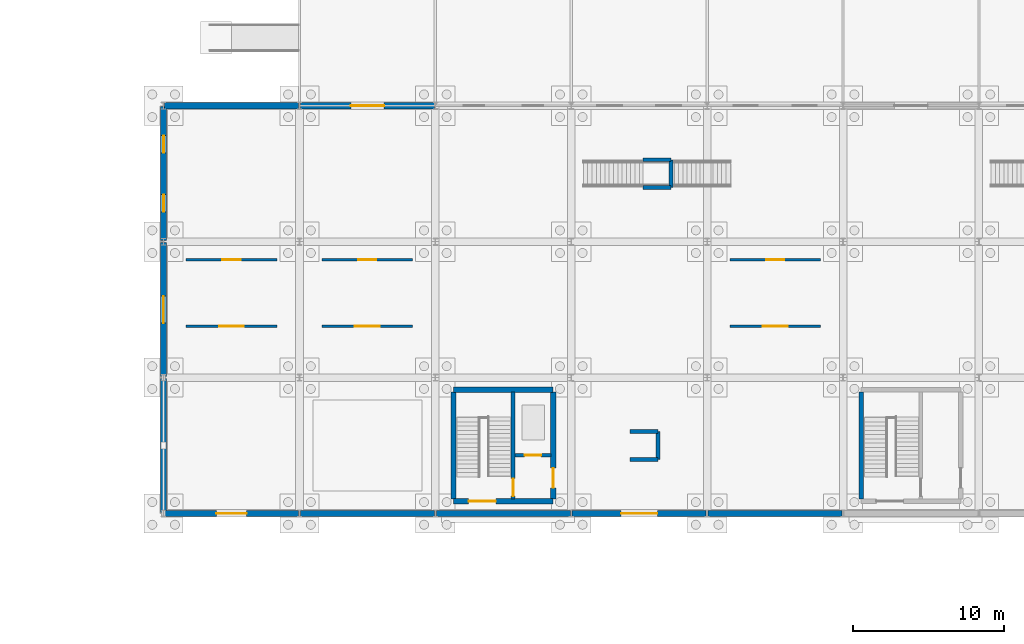
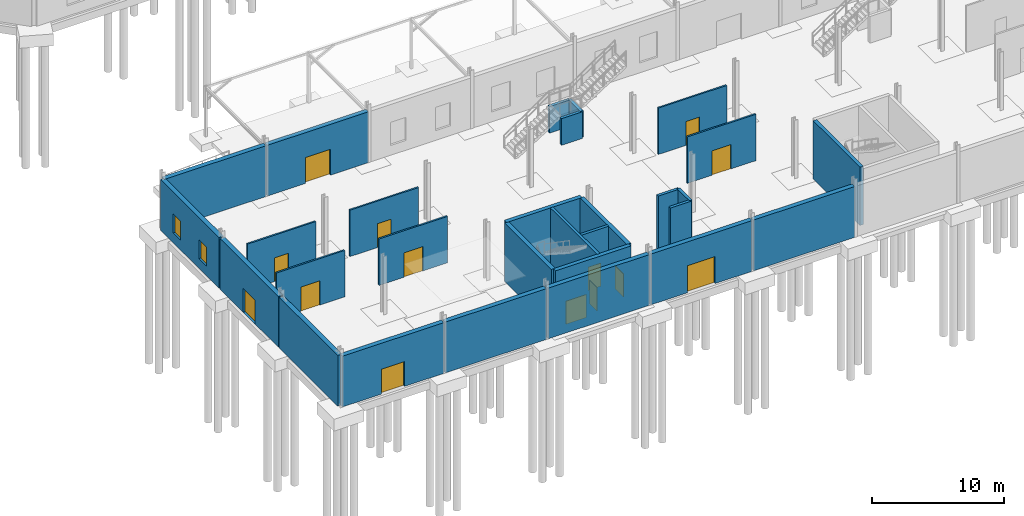
# One storey, part 82 of 118: 29 walls, 14 doors, 2 windows, 16 openings.
"""IFC4 building model written with IfcOpenShell, lengths in metres."""

from ifc_helpers import new_model, si_unit, direction, frame, frame_2d, origin, place, context, subcontext, project, spatial, rectangle, extrude, material, layer, layer_set, type_object, element, fill, save


model = new_model("IFC4")

# Units and contexts
model_context = context("Model", 3, precision=1e-05, world=origin(), true_north=direction((0.0, 1.0)))
body_context = subcontext(model_context, "Body", "Model", "MODEL_VIEW")
ifc_project = project(units=[si_unit("LENGTHUNIT", "METRE"), si_unit("AREAUNIT", "SQUARE_METRE"), si_unit("VOLUMEUNIT", "CUBIC_METRE"), si_unit("PLANEANGLEUNIT", "RADIAN"), si_unit("MASSUNIT", "GRAM", prefix="KILO")], contexts=[model_context])

# Site, building, storey
site_placement = place(None, origin())
site = spatial("IfcSite", under=ifc_project, at=site_placement, CompositionType="ELEMENT")
building_placement = place(site_placement, origin())
building = spatial("IfcBuilding", under=site, at=building_placement, Name="Kildeholm Park Wholesale Market", CompositionType="ELEMENT")
storey_placement = place(building_placement, origin())
storey = spatial("IfcBuildingStorey", under=building, at=storey_placement, Name="L00", CompositionType="ELEMENT", Elevation=0.0)

# Wall, opening, door
ifc_material_1 = material(Name="Bornholm granite stone plinth and Concrete C35/45 wall", Category="masonry")
ifc_layer_1 = layer(ifc_material_1, 0.39990234375)
ifc_layer_set_1 = layer_set([ifc_layer_1], Name="Bornholm granite stone plinth and Concrete C35/45 wall")
wall_type_1 = type_object("IfcWallType", Name="Exterior wall W-EX2 400 mm", PredefinedType="SOLIDWALL", material=ifc_layer_set_1)
wall_1_placement = place(storey_placement, frame((9.06005859375, 0.0, 0.0), z_axis=(0.0, 0.0, 1.0), x_axis=(1.0, 0.0, 0.0)))
wall_1 = element("IfcWall", 1, at=wall_1_placement, inside=storey, type_object=wall_type_1, Name="Exterior wall V5W-L00-S01.1 WL-0495", PredefinedType="SOLIDWALL", context=body_context, shape_type="SweptSolid", body=[
    extrude(rectangle(XDim=8.8798828125, YDim=0.39990234375, at=frame_2d((4.43994140625, 0.0))), origin(), (0.0, 0.0, 1.0), 4.699951171875),
])
opening_1_placement = place(wall_1_placement, frame((3.43994140625, 0.0, 0.0)))
opening_1 = element("IfcOpeningElement", 2, at=opening_1_placement, cuts=wall_1, Name="Opening D-EX02", PredefinedType="OPENING", context=body_context, shape_type="SweptSolid", body=[
    extrude(rectangle(XDim=2.0, YDim=2.300048828125, at=frame_2d((1.0, 1.14990234375))), frame((0.0, 0.2099609375, 0.0), z_axis=(0.0, -1.0, 0.0), x_axis=(1.0, 0.0, 0.0)), (0.0, 0.0, 1.0), 0.419921875),
])
ifc_material_2 = material(Name="Anodised aluminium and safety glass", Category="aluminium")
door_type_1 = type_object("IfcDoorType", Name="Exterior door D-EX02 2000x2300", OperationType="NOTDEFINED", PredefinedType="DOOR", material=ifc_material_2)
door_1_placement = place(opening_1_placement, frame((2.0, 0.0, 0.0), z_axis=(0.0, 0.0, 1.0), x_axis=(-1.0, 0.0, 0.0)))
door_1 = element("IfcDoor", 3, at=door_1_placement, inside=storey, type_object=door_type_1, Name="Door V5W-L00-S01.1 DR-0050 WL-0495", OperationType="DOUBLE_DOOR_SINGLE_SWING", OverallHeight=2.300048828125, OverallWidth=2.0, PredefinedType="DOOR", context=body_context, shape_type="SweptSolid", body=[
    extrude(rectangle(XDim=2.0, YDim=2.300048828125, at=frame_2d((1.0, 1.14990234375))), frame((0.0, 0.02490234375, 0.0), z_axis=(0.0, -1.0, 0.0), x_axis=(1.0, 0.0, 0.0)), (0.0, 0.0, 1.0), 0.050048828125),
])
fill(opening_1, door_1)

# Walls
for number, where, z_axis, x_axis, name in (
    (4, (18.06005859375, 0.0, 0.0), (0.0, 0.0, 1.0), (1.0, 0.0, 0.0), "Exterior wall V5W-L00-S02.1 WL-0496"),
    (5, (27.06005859375, 0.0, 0.0), (0.0, 0.0, 1.0), (1.0, 0.0, 0.0), "Exterior wall V5W-L00-S03.1 WL-0497"),
):
    element("IfcWall", number, at=place(storey_placement, frame(where, z_axis=z_axis, x_axis=x_axis)), inside=storey, type_object=wall_type_1, Name=name, PredefinedType="SOLIDWALL", context=body_context, shape_type="SweptSolid", body=[
        extrude(rectangle(XDim=8.8798828125, YDim=0.39990234375, at=frame_2d((4.43994140625, 0.0))), origin(), (0.0, 0.0, 1.0), 4.699951171875),
    ])

# Wall, opening, door
wall_2_placement = place(storey_placement, frame((36.06005859375, 0.0, 0.0), z_axis=(0.0, 0.0, 1.0), x_axis=(1.0, 0.0, 0.0)))
wall_2 = element("IfcWall", 6, at=wall_2_placement, inside=storey, type_object=wall_type_1, Name="Exterior wall V5W-L00-S04.1 WL-0498", PredefinedType="SOLIDWALL", context=body_context, shape_type="SweptSolid", body=[
    extrude(rectangle(XDim=8.8798828125, YDim=0.39990234375, at=frame_2d((4.43994140625, 0.0))), origin(), (0.0, 0.0, 1.0), 4.699951171875),
])
opening_2_placement = place(wall_2_placement, frame((3.239990234375, 0.0, 0.0)))
opening_2 = element("IfcOpeningElement", 7, at=opening_2_placement, cuts=wall_2, Name="Opening D-EX04", PredefinedType="OPENING", context=body_context, shape_type="SweptSolid", body=[
    extrude(rectangle(XDim=2.39990234375, YDim=2.5, at=frame_2d((1.199951171875, 1.25))), frame((0.0, 0.2099609375, 0.0), z_axis=(0.0, -1.0, 0.0), x_axis=(1.0, 0.0, 0.0)), (0.0, 0.0, 1.0), 0.419921875),
])
door_type_2 = type_object("IfcDoorType", Name="Exterior door D-EX04 2400x2500", OperationType="NOTDEFINED", PredefinedType="DOOR", material=ifc_material_2)
door_2_placement = place(opening_2_placement, frame((2.39990234375, 0.0, 0.0), z_axis=(0.0, 0.0, 1.0), x_axis=(-1.0, 0.0, 0.0)))
door_2 = element("IfcDoor", 8, at=door_2_placement, inside=storey, type_object=door_type_2, Name="Door V5W-L00-S04.1 DR-0051 WL-0498", OperationType="DOUBLE_DOOR_SINGLE_SWING", OverallHeight=2.5, OverallWidth=2.39990234375, PredefinedType="DOOR", context=body_context, shape_type="SweptSolid", body=[
    extrude(rectangle(XDim=2.39990234375, YDim=2.5, at=frame_2d((1.199951171875, 1.25))), frame((0.0, 0.02490234375, 0.0), z_axis=(0.0, -1.0, 0.0), x_axis=(1.0, 0.0, 0.0)), (0.0, 0.0, 1.0), 0.050048828125),
])
fill(opening_2, door_2)

# Walls
for number, where, z_axis, x_axis, name in (
    (9, (45.06005859375, 0.0, 0.0), (0.0, 0.0, 1.0), (1.0, 0.0, 0.0), "Exterior wall V5W-L00-S05.1 WL-0499"),
    (10, (9.06005859375, 27.0, 0.0), (0.0, 0.0, 1.0), (1.0, 0.0, 0.0), "Exterior wall V5W-L00-N.1 WL-0503"),
):
    element("IfcWall", number, at=place(storey_placement, frame(where, z_axis=z_axis, x_axis=x_axis)), inside=storey, type_object=wall_type_1, Name=name, PredefinedType="SOLIDWALL", context=body_context, shape_type="SweptSolid", body=[
        extrude(rectangle(XDim=8.8798828125, YDim=0.39990234375, at=frame_2d((4.43994140625, 0.0))), origin(), (0.0, 0.0, 1.0), 4.699951171875),
    ])

# Wall, opening, door
wall_3_placement = place(storey_placement, frame((18.06005859375, 27.0, 0.0), z_axis=(0.0, 0.0, 1.0), x_axis=(1.0, 0.0, 0.0)))
wall_3 = element("IfcWall", 11, at=wall_3_placement, inside=storey, type_object=wall_type_1, Name="Exterior wall V5W-L00-N.2 WL-0504", PredefinedType="SOLIDWALL", context=body_context, shape_type="SweptSolid", body=[
    extrude(rectangle(XDim=8.8798828125, YDim=0.39990234375, at=frame_2d((4.43994140625, 0.0))), origin(), (0.0, 0.0, 1.0), 4.699951171875),
])
opening_3_placement = place(wall_3_placement, frame((3.340087890625, 0.0, 0.0)))
opening_3 = element("IfcOpeningElement", 12, at=opening_3_placement, cuts=wall_3, Name="Opening D-EX03", PredefinedType="OPENING", context=body_context, shape_type="SweptSolid", body=[
    extrude(rectangle(XDim=2.199951171875, YDim=2.39990234375, at=frame_2d((1.10009765625, 1.199951171875))), frame((0.0, 0.2099609375, 0.0), z_axis=(0.0, -1.0, 0.0), x_axis=(1.0, 0.0, 0.0)), (0.0, 0.0, 1.0), 0.419921875),
])
door_type_3 = type_object("IfcDoorType", Name="Exterior door D-EX03 2200x2400", OperationType="NOTDEFINED", PredefinedType="DOOR", material=ifc_material_2)
door_3_placement = place(opening_3_placement, origin())
door_3 = element("IfcDoor", 13, at=door_3_placement, inside=storey, type_object=door_type_3, Name="Door V5W-L00-N.2 DR-0053 WL-0504", OperationType="DOUBLE_DOOR_SINGLE_SWING", OverallHeight=2.39990234375, OverallWidth=2.199951171875, PredefinedType="DOOR", context=body_context, shape_type="SweptSolid", body=[
    extrude(rectangle(XDim=2.199951171875, YDim=2.39990234375, at=frame_2d((1.10009765625, 1.199951171875))), frame((0.0, 0.02490234375, 0.0), z_axis=(0.0, -1.0, 0.0), x_axis=(1.0, 0.0, 0.0)), (0.0, 0.0, 1.0), 0.050048828125),
])
fill(opening_3, door_3)

# Wall
wall_4_placement = place(storey_placement, frame((9.0, 0.06005859375, 0.0), z_axis=(0.0, 0.0, 1.0), x_axis=(0.0, 1.0, 0.0)))
element("IfcWall", 14, at=wall_4_placement, inside=storey, type_object=wall_type_1, Name="Exterior wall V5W-L00-W.1 WL-0511", PredefinedType="SOLIDWALL", context=body_context, shape_type="SweptSolid", body=[
    extrude(rectangle(XDim=8.8798828125, YDim=0.39990234375, at=frame_2d((4.43994140625, 0.0))), origin(), (0.0, 0.0, 1.0), 4.699951171875),
])

# Wall, opening, door
wall_5_placement = place(storey_placement, frame((9.0, 9.06005859375, 0.0), z_axis=(0.0, 0.0, 1.0), x_axis=(0.0, 1.0, 0.0)))
wall_5 = element("IfcWall", 15, at=wall_5_placement, inside=storey, type_object=wall_type_1, Name="Exterior wall V5W-L00-W.2 WL-0512", PredefinedType="SOLIDWALL", context=body_context, shape_type="SweptSolid", body=[
    extrude(rectangle(XDim=8.8798828125, YDim=0.39990234375, at=frame_2d((4.43994140625, 0.0))), origin(), (0.0, 0.0, 1.0), 4.699951171875),
])
opening_4_placement = place(wall_5_placement, frame((3.5400390625, 0.0, 0.0)))
opening_4 = element("IfcOpeningElement", 16, at=opening_4_placement, cuts=wall_5, Name="Opening D-EX01", PredefinedType="OPENING", context=body_context, shape_type="SweptSolid", body=[
    extrude(rectangle(XDim=1.800048828125, YDim=2.199951171875, at=frame_2d((0.89990234375, 1.10009765625))), frame((0.0, 0.2099609375, 0.0), z_axis=(0.0, -1.0, 0.0), x_axis=(1.0, 0.0, 0.0)), (0.0, 0.0, 1.0), 0.419921875),
])
door_type_4 = type_object("IfcDoorType", Name="Exterior door D-EX01 1800x2200", OperationType="NOTDEFINED", PredefinedType="DOOR", material=ifc_material_2)
door_4_placement = place(opening_4_placement, origin())
door_4 = element("IfcDoor", 17, at=door_4_placement, inside=storey, type_object=door_type_4, Name="Door V5W-L00-W.2 DR-0055 WL-0512", OperationType="DOUBLE_DOOR_SINGLE_SWING", OverallHeight=2.199951171875, OverallWidth=1.800048828125, PredefinedType="DOOR", context=body_context, shape_type="SweptSolid", body=[
    extrude(rectangle(XDim=1.800048828125, YDim=2.199951171875, at=frame_2d((0.89990234375, 1.10009765625))), frame((0.0, 0.02490234375, 0.0), z_axis=(0.0, -1.0, 0.0), x_axis=(1.0, 0.0, 0.0)), (0.0, 0.0, 1.0), 0.050048828125),
])
fill(opening_4, door_4)

# Wall, openings, windows
wall_6_placement = place(storey_placement, frame((9.0, 18.06005859375, 0.0), z_axis=(0.0, 0.0, 1.0), x_axis=(0.0, 1.0, 0.0)))
wall_6 = element("IfcWall", 18, at=wall_6_placement, inside=storey, type_object=wall_type_1, Name="Exterior wall V5W-L00-W.3 WL-0513", PredefinedType="SOLIDWALL", context=body_context, shape_type="SweptSolid", body=[
    extrude(rectangle(XDim=8.8798828125, YDim=0.39990234375, at=frame_2d((4.43994140625, 0.0))), origin(), (0.0, 0.0, 1.0), 4.699951171875),
])
opening_5_placement = place(wall_6_placement, frame((1.910888671875, 0.0, 0.89990234375)))
opening_5 = element("IfcOpeningElement", 19, at=opening_5_placement, cuts=wall_6, Name="Opening WN-27", PredefinedType="OPENING", context=body_context, shape_type="SweptSolid", body=[
    extrude(rectangle(XDim=1.14990234375, YDim=1.75, at=frame_2d((0.574951171875, 0.875))), frame((0.0, 0.2099609375, 0.0), z_axis=(0.0, -1.0, 0.0), x_axis=(1.0, 0.0, 0.0)), (0.0, 0.0, 1.0), 0.419921875),
])
opening_6_placement = place(wall_6_placement, frame((5.819091796875, 0.0, 0.89990234375)))
opening_6 = element("IfcOpeningElement", 20, at=opening_6_placement, cuts=wall_6, Name="Opening WN-27", PredefinedType="OPENING", context=body_context, shape_type="SweptSolid", body=[
    extrude(rectangle(XDim=1.14990234375, YDim=1.75, at=frame_2d((0.574951171875, 0.875))), frame((0.0, 0.2099609375, 0.0), z_axis=(0.0, -1.0, 0.0), x_axis=(1.0, 0.0, 0.0)), (0.0, 0.0, 1.0), 0.419921875),
])
ifc_material_3 = material(Name="Thermally broken aluminium and triple-glazed low-E glass", Category="aluminium")
window_type = type_object("IfcWindowType", Name="Window WN-27 1150x1750", PartitioningType="SINGLE_PANEL", PredefinedType="WINDOW", material=ifc_material_3)
window_1_placement = place(opening_5_placement, origin())
window_1 = element("IfcWindow", 21, at=window_1_placement, inside=storey, type_object=window_type, Name="Window V5W-L00-W.3.1 WIN-0299", OverallHeight=1.75, OverallWidth=1.14990234375, PartitioningType="SINGLE_PANEL", PredefinedType="WINDOW", context=body_context, shape_type="SweptSolid", body=[
    extrude(rectangle(XDim=1.14990234375, YDim=1.75, at=frame_2d((0.574951171875, 0.875))), frame((0.0, 0.030029296875, 0.0), z_axis=(0.0, -1.0, 0.0), x_axis=(1.0, 0.0, 0.0)), (0.0, 0.0, 1.0), 0.06005859375),
])
fill(opening_5, window_1)
window_2_placement = place(opening_6_placement, origin())
window_2 = element("IfcWindow", 22, at=window_2_placement, inside=storey, type_object=window_type, Name="Window V5W-L00-W.3.2 WIN-0300", OverallHeight=1.75, OverallWidth=1.14990234375, PartitioningType="SINGLE_PANEL", PredefinedType="WINDOW", context=body_context, shape_type="SweptSolid", body=[
    extrude(rectangle(XDim=1.14990234375, YDim=1.75, at=frame_2d((0.574951171875, 0.875))), frame((0.0, 0.030029296875, 0.0), z_axis=(0.0, -1.0, 0.0), x_axis=(1.0, 0.0, 0.0)), (0.0, 0.0, 1.0), 0.06005859375),
])
fill(opening_6, window_2)

# Wall, opening, door
ifc_material_4 = material(Name="Double-board acoustic laboratory partition")
ifc_layer_2 = layer(ifc_material_4, 0.139892578125)
ifc_layer_set_2 = layer_set([ifc_layer_2], Name="Double-board acoustic laboratory partition")
wall_type_2 = type_object("IfcWallType", Name="Partition W-PT03 140 mm", PredefinedType="PARTITIONING", material=ifc_layer_set_2)
wall_7_placement = place(storey_placement, frame((10.5, 16.800048828125, 0.0), z_axis=(0.0, 0.0, 1.0), x_axis=(1.0, 0.0, 0.0)))
wall_7 = element("IfcWall", 23, at=wall_7_placement, inside=storey, type_object=wall_type_2, Name="Interior partition W-V5W-L00-CN1 WL-1002", PredefinedType="PARTITIONING", context=body_context, shape_type="SweptSolid", body=[
    extrude(rectangle(XDim=6.0, YDim=0.139892578125, at=frame_2d((3.0, 0.0))), origin(), (0.0, 0.0, 1.0), 4.300048828125),
])
opening_7_placement = place(wall_7_placement, frame((2.39990234375, 0.0, 0.0)))
opening_7 = element("IfcOpeningElement", 24, at=opening_7_placement, cuts=wall_7, Name="Opening D-IN11", PredefinedType="OPENING", context=body_context, shape_type="SweptSolid", body=[
    extrude(rectangle(XDim=1.199951171875, YDim=2.199951171875, at=frame_2d((0.60009765625, 1.10009765625))), frame((0.0, 0.079833984375, 0.0), z_axis=(0.0, -1.0, 0.0), x_axis=(1.0, 0.0, 0.0)), (0.0, 0.0, 1.0), 0.159912109375),
])
ifc_material_5 = material(Name="Culinary workshop glazed doorset")
door_type_5 = type_object("IfcDoorType", Name="Interior door D-IN11 1200x2200", OperationType="NOTDEFINED", PredefinedType="DOOR", material=ifc_material_5)
door_5_placement = place(opening_7_placement, origin())
door_5 = element("IfcDoor", 25, at=door_5_placement, inside=storey, type_object=door_type_5, Name="Interior door V5W-L00-CN1 DR-0277 WL-1002", OperationType="SINGLE_SWING_LEFT", OverallHeight=2.199951171875, OverallWidth=1.199951171875, PredefinedType="DOOR", context=body_context, shape_type="SweptSolid", body=[
    extrude(rectangle(XDim=1.199951171875, YDim=2.199951171875, at=frame_2d((0.60009765625, 1.10009765625))), frame((0.0, 0.02490234375, 0.0), z_axis=(0.0, -1.0, 0.0), x_axis=(1.0, 0.0, 0.0)), (0.0, 0.0, 1.0), 0.050048828125),
])
fill(opening_7, door_5)

wall_8_placement = place(storey_placement, frame((19.5, 16.800048828125, 0.0), z_axis=(0.0, 0.0, 1.0), x_axis=(1.0, 0.0, 0.0)))
wall_8 = element("IfcWall", 26, at=wall_8_placement, inside=storey, type_object=wall_type_2, Name="Interior partition W-V5W-L00-CN2 WL-1004", PredefinedType="PARTITIONING", context=body_context, shape_type="SweptSolid", body=[
    extrude(rectangle(XDim=6.0, YDim=0.139892578125, at=frame_2d((3.0, 0.0))), origin(), (0.0, 0.0, 1.0), 4.300048828125),
])
opening_8_placement = place(wall_8_placement, frame((2.39990234375, 0.0, 0.0)))
opening_8 = element("IfcOpeningElement", 27, at=opening_8_placement, cuts=wall_8, Name="Opening D-IN11", PredefinedType="OPENING", context=body_context, shape_type="SweptSolid", body=[
    extrude(rectangle(XDim=1.199951171875, YDim=2.199951171875, at=frame_2d((0.60009765625, 1.10009765625))), frame((0.0, 0.079833984375, 0.0), z_axis=(0.0, -1.0, 0.0), x_axis=(1.0, 0.0, 0.0)), (0.0, 0.0, 1.0), 0.159912109375),
])
door_6_placement = place(opening_8_placement, origin())
door_6 = element("IfcDoor", 28, at=door_6_placement, inside=storey, type_object=door_type_5, Name="Interior door V5W-L00-CN2 DR-0279 WL-1004", OperationType="SINGLE_SWING_LEFT", OverallHeight=2.199951171875, OverallWidth=1.199951171875, PredefinedType="DOOR", context=body_context, shape_type="SweptSolid", body=[
    extrude(rectangle(XDim=1.199951171875, YDim=2.199951171875, at=frame_2d((0.60009765625, 1.10009765625))), frame((0.0, 0.02490234375, 0.0), z_axis=(0.0, -1.0, 0.0), x_axis=(1.0, 0.0, 0.0)), (0.0, 0.0, 1.0), 0.050048828125),
])
fill(opening_8, door_6)

wall_9_placement = place(storey_placement, frame((46.5, 16.800048828125, 0.0), z_axis=(0.0, 0.0, 1.0), x_axis=(1.0, 0.0, 0.0)))
wall_9 = element("IfcWall", 29, at=wall_9_placement, inside=storey, type_object=wall_type_2, Name="Interior partition W-V5W-L00-CN5 WL-1006", PredefinedType="PARTITIONING", context=body_context, shape_type="SweptSolid", body=[
    extrude(rectangle(XDim=6.0, YDim=0.139892578125, at=frame_2d((3.0, 0.0))), origin(), (0.0, 0.0, 1.0), 4.300048828125),
])
opening_9_placement = place(wall_9_placement, frame((2.39990234375, 0.0, 0.0)))
opening_9 = element("IfcOpeningElement", 30, at=opening_9_placement, cuts=wall_9, Name="Opening D-IN11", PredefinedType="OPENING", context=body_context, shape_type="SweptSolid", body=[
    extrude(rectangle(XDim=1.199951171875, YDim=2.199951171875, at=frame_2d((0.60009765625, 1.10009765625))), frame((0.0, 0.079833984375, 0.0), z_axis=(0.0, -1.0, 0.0), x_axis=(1.0, 0.0, 0.0)), (0.0, 0.0, 1.0), 0.159912109375),
])
door_7_placement = place(opening_9_placement, origin())
door_7 = element("IfcDoor", 31, at=door_7_placement, inside=storey, type_object=door_type_5, Name="Interior door V5W-L00-CN5 DR-0281 WL-1006", OperationType="SINGLE_SWING_LEFT", OverallHeight=2.199951171875, OverallWidth=1.199951171875, PredefinedType="DOOR", context=body_context, shape_type="SweptSolid", body=[
    extrude(rectangle(XDim=1.199951171875, YDim=2.199951171875, at=frame_2d((0.60009765625, 1.10009765625))), frame((0.0, 0.02490234375, 0.0), z_axis=(0.0, -1.0, 0.0), x_axis=(1.0, 0.0, 0.0)), (0.0, 0.0, 1.0), 0.050048828125),
])
fill(opening_9, door_7)

ifc_material_6 = material(Name="Fire-rated corridor and lobby partition")
ifc_layer_3 = layer(ifc_material_6, 0.14990234375)
ifc_layer_set_3 = layer_set([ifc_layer_3], Name="Fire-rated corridor and lobby partition")
wall_type_3 = type_object("IfcWallType", Name="Partition W-PT04 150 mm", PredefinedType="PARTITIONING", material=ifc_layer_set_3)
wall_10_placement = place(storey_placement, frame((10.5, 12.39990234375, 0.0), z_axis=(0.0, 0.0, 1.0), x_axis=(1.0, 0.0, 0.0)))
wall_10 = element("IfcWall", 32, at=wall_10_placement, inside=storey, type_object=wall_type_3, Name="Interior partition W-V5W-L00-CS1 WL-1001", PredefinedType="PARTITIONING", context=body_context, shape_type="SweptSolid", body=[
    extrude(rectangle(XDim=6.0, YDim=0.14990234375, at=frame_2d((3.0, 0.0))), origin(), (0.0, 0.0, 1.0), 4.300048828125),
])
opening_10_placement = place(wall_10_placement, frame((2.175048828125, 0.0, 0.0)))
opening_10 = element("IfcOpeningElement", 33, at=opening_10_placement, cuts=wall_10, Name="Opening D-IN06", PredefinedType="OPENING", context=body_context, shape_type="SweptSolid", body=[
    extrude(rectangle(XDim=1.64990234375, YDim=2.25, at=frame_2d((0.824951171875, 1.125))), frame((0.0, 0.0849609375, 0.0), z_axis=(0.0, -1.0, 0.0), x_axis=(1.0, 0.0, 0.0)), (0.0, 0.0, 1.0), 0.169921875),
])
ifc_material_7 = material(Name="Double-leaf auction and community hall doorset")
door_type_6 = type_object("IfcDoorType", Name="Interior door D-IN06 1650x2250", OperationType="NOTDEFINED", PredefinedType="DOOR", material=ifc_material_7)
door_8_placement = place(opening_10_placement, origin())
door_8 = element("IfcDoor", 34, at=door_8_placement, inside=storey, type_object=door_type_6, Name="Interior door V5W-L00-CS1 DR-0276 WL-1001", OperationType="DOUBLE_DOOR_SINGLE_SWING", OverallHeight=2.25, OverallWidth=1.64990234375, PredefinedType="DOOR", context=body_context, shape_type="SweptSolid", body=[
    extrude(rectangle(XDim=1.64990234375, YDim=2.25, at=frame_2d((0.824951171875, 1.125))), frame((0.0, 0.02490234375, 0.0), z_axis=(0.0, -1.0, 0.0), x_axis=(1.0, 0.0, 0.0)), (0.0, 0.0, 1.0), 0.050048828125),
])
fill(opening_10, door_8)

wall_11_placement = place(storey_placement, frame((19.5, 12.39990234375, 0.0), z_axis=(0.0, 0.0, 1.0), x_axis=(1.0, 0.0, 0.0)))
wall_11 = element("IfcWall", 35, at=wall_11_placement, inside=storey, type_object=wall_type_3, Name="Interior partition W-V5W-L00-CS2 WL-1003", PredefinedType="PARTITIONING", context=body_context, shape_type="SweptSolid", body=[
    extrude(rectangle(XDim=6.0, YDim=0.14990234375, at=frame_2d((3.0, 0.0))), origin(), (0.0, 0.0, 1.0), 4.300048828125),
])
opening_11_placement = place(wall_11_placement, frame((2.175048828125, 0.0, 0.0)))
opening_11 = element("IfcOpeningElement", 36, at=opening_11_placement, cuts=wall_11, Name="Opening D-IN06", PredefinedType="OPENING", context=body_context, shape_type="SweptSolid", body=[
    extrude(rectangle(XDim=1.64990234375, YDim=2.25, at=frame_2d((0.824951171875, 1.125))), frame((0.0, 0.0849609375, 0.0), z_axis=(0.0, -1.0, 0.0), x_axis=(1.0, 0.0, 0.0)), (0.0, 0.0, 1.0), 0.169921875),
])
door_9_placement = place(opening_11_placement, origin())
door_9 = element("IfcDoor", 37, at=door_9_placement, inside=storey, type_object=door_type_6, Name="Interior door V5W-L00-CS2 DR-0278 WL-1003", OperationType="DOUBLE_DOOR_SINGLE_SWING", OverallHeight=2.25, OverallWidth=1.64990234375, PredefinedType="DOOR", context=body_context, shape_type="SweptSolid", body=[
    extrude(rectangle(XDim=1.64990234375, YDim=2.25, at=frame_2d((0.824951171875, 1.125))), frame((0.0, 0.02490234375, 0.0), z_axis=(0.0, -1.0, 0.0), x_axis=(1.0, 0.0, 0.0)), (0.0, 0.0, 1.0), 0.050048828125),
])
fill(opening_11, door_9)

wall_12_placement = place(storey_placement, frame((46.5, 12.39990234375, 0.0), z_axis=(0.0, 0.0, 1.0), x_axis=(1.0, 0.0, 0.0)))
wall_12 = element("IfcWall", 38, at=wall_12_placement, inside=storey, type_object=wall_type_3, Name="Interior partition W-V5W-L00-CS5 WL-1005", PredefinedType="PARTITIONING", context=body_context, shape_type="SweptSolid", body=[
    extrude(rectangle(XDim=6.0, YDim=0.14990234375, at=frame_2d((3.0, 0.0))), origin(), (0.0, 0.0, 1.0), 4.300048828125),
])
opening_12_placement = place(wall_12_placement, frame((2.175048828125, 0.0, 0.0)))
opening_12 = element("IfcOpeningElement", 39, at=opening_12_placement, cuts=wall_12, Name="Opening D-IN06", PredefinedType="OPENING", context=body_context, shape_type="SweptSolid", body=[
    extrude(rectangle(XDim=1.64990234375, YDim=2.25, at=frame_2d((0.824951171875, 1.125))), frame((0.0, 0.0849609375, 0.0), z_axis=(0.0, -1.0, 0.0), x_axis=(1.0, 0.0, 0.0)), (0.0, 0.0, 1.0), 0.169921875),
])
door_10_placement = place(opening_12_placement, origin())
door_10 = element("IfcDoor", 40, at=door_10_placement, inside=storey, type_object=door_type_6, Name="Interior door V5W-L00-CS5 DR-0280 WL-1005", OperationType="DOUBLE_DOOR_SINGLE_SWING", OverallHeight=2.25, OverallWidth=1.64990234375, PredefinedType="DOOR", context=body_context, shape_type="SweptSolid", body=[
    extrude(rectangle(XDim=1.64990234375, YDim=2.25, at=frame_2d((0.824951171875, 1.125))), frame((0.0, 0.02490234375, 0.0), z_axis=(0.0, -1.0, 0.0), x_axis=(1.0, 0.0, 0.0)), (0.0, 0.0, 1.0), 0.050048828125),
])
fill(opening_12, door_10)

# Wall
ifc_material_8 = material(Name="Concrete C40/50", Category="concrete")
ifc_layer_4 = layer(ifc_material_8, 0.300048828125)
ifc_layer_set_4 = layer_set([ifc_layer_4], Name="Concrete C40/50")
wall_type_4 = type_object("IfcWallType", Name="Shear wall W-SH1 300 mm", PredefinedType="SHEAR", material=ifc_layer_set_4)
wall_13_placement = place(storey_placement, frame((55.199951171875, 0.949951171875, 0.0), z_axis=(0.0, 0.0, 1.0), x_axis=(0.0, 1.0, 0.0)))
element("IfcWall", 41, at=wall_13_placement, inside=storey, type_object=wall_type_4, Name="Core C05 west shear wall L00 WL-0730", PredefinedType="SHEAR", context=body_context, shape_type="SweptSolid", body=[
    extrude(rectangle(XDim=7.10009765625, YDim=0.300048828125, at=frame_2d((3.550048828125, 0.0))), origin(), (0.0, 0.0, 1.0), 5.39990234375),
])

# Wall, opening, door
ifc_layer_5 = layer(ifc_material_8, 0.25)
ifc_layer_set_5 = layer_set([ifc_layer_5], Name="Concrete C40/50")
wall_type_5 = type_object("IfcWallType", Name="Shear wall W-SH2 250 mm", PredefinedType="SHEAR", material=ifc_layer_set_5)
wall_14_placement = place(storey_placement, frame((32.14990234375, 0.949951171875, 0.0), z_axis=(0.0, 0.0, 1.0), x_axis=(0.0, 1.0, 0.0)))
wall_14 = element("IfcWall", 42, at=wall_14_placement, inside=storey, type_object=wall_type_5, Name="Core C04 shaft wall L00 WL-0708", PredefinedType="SHEAR", context=body_context, shape_type="SweptSolid", body=[
    extrude(rectangle(XDim=7.10009765625, YDim=0.25, at=frame_2d((3.550048828125, 0.0))), origin(), (0.0, 0.0, 1.0), 5.39990234375),
])
opening_13_placement = place(wall_14_placement, frame((0.199951171875, 0.0, 0.0)))
opening_13 = element("IfcOpeningElement", 43, at=opening_13_placement, cuts=wall_14, Name="Opening D-CR01", PredefinedType="OPENING", context=body_context, shape_type="SweptSolid", body=[
    extrude(rectangle(XDim=1.14990234375, YDim=2.14990234375, at=frame_2d((0.574951171875, 1.074951171875))), frame((0.0, 0.135009765625, 0.0), z_axis=(0.0, -1.0, 0.0), x_axis=(1.0, 0.0, 0.0)), (0.0, 0.0, 1.0), 0.27001953125),
])
ifc_material_9 = material(Name="Painted steel fire escape doorset", Category="steel")
door_type_7 = type_object("IfcDoorType", Name="Interior door D-CR01 1150x2150", OperationType="NOTDEFINED", PredefinedType="DOOR", material=ifc_material_9)
door_11_placement = place(opening_13_placement, origin())
door_11 = element("IfcDoor", 44, at=door_11_placement, inside=storey, type_object=door_type_7, Name="Core C04 stair fire door L00 DR-0103 WL-0708", OperationType="SINGLE_SWING_LEFT", OverallHeight=2.14990234375, OverallWidth=1.14990234375, PredefinedType="DOOR", context=body_context, shape_type="SweptSolid", body=[
    extrude(rectangle(XDim=1.14990234375, YDim=2.14990234375, at=frame_2d((0.574951171875, 1.074951171875))), frame((0.0, 0.02490234375, 0.0), z_axis=(0.0, -1.0, 0.0), x_axis=(1.0, 0.0, 0.0)), (0.0, 0.0, 1.0), 0.050048828125),
])
fill(opening_13, door_11)

wall_15_placement = place(storey_placement, frame((32.27001953125, 3.85009765625, 0.0), z_axis=(0.0, 0.0, 1.0), x_axis=(1.0, 0.0, 0.0)))
wall_15 = element("IfcWall", 45, at=wall_15_placement, inside=storey, type_object=wall_type_5, Name="Lift LF-01 shaft front wall L00 WL-0709", PredefinedType="SHEAR", context=body_context, shape_type="SweptSolid", body=[
    extrude(rectangle(XDim=2.3798828125, YDim=0.25, at=frame_2d((1.18994140625, 0.0))), origin(), (0.0, 0.0, 1.0), 5.39990234375),
])
opening_14_placement = place(wall_15_placement, frame((0.639892578125, 0.0, 0.0)))
opening_14 = element("IfcOpeningElement", 46, at=opening_14_placement, cuts=wall_15, Name="Opening LD-01", PredefinedType="OPENING", context=body_context, shape_type="SweptSolid", body=[
    extrude(rectangle(XDim=1.10009765625, YDim=2.14990234375, at=frame_2d((0.550048828125, 1.074951171875))), frame((0.0, 0.135009765625, 0.0), z_axis=(0.0, -1.0, 0.0), x_axis=(1.0, 0.0, 0.0)), (0.0, 0.0, 1.0), 0.27001953125),
])
ifc_material_10 = material(Name="Stainless steel AISI 316 passenger lift landing door", Category="steel")
door_type_8 = type_object("IfcDoorType", Name="Interior door D-LD01 1100x2150", OperationType="NOTDEFINED", PredefinedType="DOOR", material=ifc_material_10)
door_12_placement = place(opening_14_placement, origin())
door_12 = element("IfcDoor", 47, at=door_12_placement, inside=storey, type_object=door_type_8, Name="Lift LF-01 sliding landing door L00 DR-0105 WL-0709", OperationType="SLIDING_TO_LEFT", OverallHeight=2.14990234375, OverallWidth=1.10009765625, PredefinedType="DOOR", context=body_context, shape_type="SweptSolid", body=[
    extrude(rectangle(XDim=1.10009765625, YDim=2.14990234375, at=frame_2d((0.550048828125, 1.074951171875))), frame((0.0, 0.02490234375, 0.0), z_axis=(0.0, -1.0, 0.0), x_axis=(1.0, 0.0, 0.0)), (0.0, 0.0, 1.0), 0.050048828125),
])
fill(opening_14, door_12)

# Walls
for number, where, z_axis, x_axis, name in (
    (48, (40.75, 21.580078125, 0.0), (0.0, 0.0, 1.0), (1.0, 0.0, 0.0), "Feature stair landing support wall ST-FT01-S WL-0913"),
    (49, (40.75, 23.419921875, 0.0), (0.0, 0.0, 1.0), (1.0, 0.0, 0.0), "Feature stair landing support wall ST-FT01-N WL-0914"),
):
    element("IfcWall", number, at=place(storey_placement, frame(where, z_axis=z_axis, x_axis=x_axis)), inside=storey, type_object=wall_type_5, Name=name, PredefinedType="SHEAR", context=body_context, shape_type="SweptSolid", body=[
        extrude(rectangle(XDim=1.85009765625, YDim=0.25, at=frame_2d((0.925048828125, 0.0))), origin(), (0.0, 0.0, 1.0), 2.4599609375),
    ])
wall_16_placement = place(storey_placement, frame((42.60009765625, 21.580078125, 0.0), z_axis=(0.0, 0.0, 1.0), x_axis=(0.0, 1.0, 0.0)))
element("IfcWall", 50, at=wall_16_placement, inside=storey, type_object=wall_type_5, Name="Feature stair landing cross wall ST-FT01 WL-0915", PredefinedType="SHEAR", context=body_context, shape_type="SweptSolid", body=[
    extrude(rectangle(XDim=1.83984375, YDim=0.25, at=frame_2d((0.919921875, 0.0))), origin(), (0.0, 0.0, 1.0), 2.4599609375),
])
for number, where, z_axis, x_axis, name in (
    (51, (39.89501953125, 3.580078125, 0.0), (0.0, 0.0, 1.0), (1.0, 0.0, 0.0), "Feature stair lower pier wall ST-FT04-S WL-0922"),
    (52, (39.89501953125, 5.419921875, 0.0), (0.0, 0.0, 1.0), (1.0, 0.0, 0.0), "Feature stair lower pier wall ST-FT04-N WL-0924"),
):
    element("IfcWall", number, at=place(storey_placement, frame(where, z_axis=z_axis, x_axis=x_axis)), inside=storey, type_object=wall_type_5, Name=name, PredefinedType="SHEAR", context=body_context, shape_type="SweptSolid", body=[
        extrude(rectangle(XDim=1.85009765625, YDim=0.25, at=frame_2d((0.925048828125, 0.0))), origin(), (0.0, 0.0, 1.0), 5.39990234375),
    ])
wall_17_placement = place(storey_placement, frame((41.7451171875, 3.580078125, 0.0), z_axis=(0.0, 0.0, 1.0), x_axis=(0.0, 1.0, 0.0)))
element("IfcWall", 53, at=wall_17_placement, inside=storey, type_object=wall_type_5, Name="Feature stair lower cross pier ST-FT04 WL-0926", PredefinedType="SHEAR", context=body_context, shape_type="SweptSolid", body=[
    extrude(rectangle(XDim=1.83984375, YDim=0.25, at=frame_2d((0.919921875, 0.0))), origin(), (0.0, 0.0, 1.0), 5.39990234375),
])

# Wall, opening, door
ifc_layer_6 = layer(ifc_material_8, 0.35009765625)
ifc_layer_set_6 = layer_set([ifc_layer_6], Name="Concrete C40/50")
wall_type_6 = type_object("IfcWallType", Name="Shear wall W-SH3 350 mm", PredefinedType="SHEAR", material=ifc_layer_set_6)
wall_18_placement = place(storey_placement, frame((28.199951171875, 0.800048828125, 0.0), z_axis=(0.0, 0.0, 1.0), x_axis=(1.0, 0.0, 0.0)))
wall_18 = element("IfcWall", 54, at=wall_18_placement, inside=storey, type_object=wall_type_6, Name="Core C04 south shear wall L00 WL-0704", PredefinedType="SHEAR", context=body_context, shape_type="SweptSolid", body=[
    extrude(rectangle(XDim=6.60009765625, YDim=0.35009765625, at=frame_2d((3.300048828125, 0.0))), origin(), (0.0, 0.0, 1.0), 5.39990234375),
])
opening_15_placement = place(wall_18_placement, frame((1.0, 0.0, 0.0)))
opening_15 = element("IfcOpeningElement", 55, at=opening_15_placement, cuts=wall_18, Name="Opening D-EX05", PredefinedType="OPENING", context=body_context, shape_type="SweptSolid", body=[
    extrude(rectangle(XDim=1.800048828125, YDim=2.14990234375, at=frame_2d((0.89990234375, 1.074951171875))), frame((0.0, 0.18505859375, 0.0), z_axis=(0.0, -1.0, 0.0), x_axis=(1.0, 0.0, 0.0)), (0.0, 0.0, 1.0), 0.3701171875),
])
ifc_material_11 = material(Name="Painted galvanized steel escape doorset", Category="steel")
door_type_9 = type_object("IfcDoorType", Name="Exterior door D-EX05 1800x2150", OperationType="NOTDEFINED", PredefinedType="DOOR", material=ifc_material_11)
door_13_placement = place(opening_15_placement, frame((1.800048828125, 0.0, 0.0), z_axis=(0.0, 0.0, 1.0), x_axis=(-1.0, 0.0, 0.0)))
door_13 = element("IfcDoor", 56, at=door_13_placement, inside=storey, type_object=door_type_9, Name="Core C04 grade stair discharge door DR-0104 WL-0704", OperationType="DOUBLE_DOOR_SINGLE_SWING", OverallHeight=2.14990234375, OverallWidth=1.800048828125, PredefinedType="DOOR", context=body_context, shape_type="SweptSolid", body=[
    extrude(rectangle(XDim=1.800048828125, YDim=2.14990234375, at=frame_2d((0.89990234375, 1.074951171875))), frame((0.0, 0.02490234375, 0.0), z_axis=(0.0, -1.0, 0.0), x_axis=(1.0, 0.0, 0.0)), (0.0, 0.0, 1.0), 0.050048828125),
])
fill(opening_15, door_13)

# Walls
wall_19_placement = place(storey_placement, frame((28.199951171875, 8.199951171875, 0.0), z_axis=(0.0, 0.0, 1.0), x_axis=(1.0, 0.0, 0.0)))
element("IfcWall", 57, at=wall_19_placement, inside=storey, type_object=wall_type_6, Name="Core C04 north shear wall L00 WL-0705", PredefinedType="SHEAR", context=body_context, shape_type="SweptSolid", body=[
    extrude(rectangle(XDim=6.60009765625, YDim=0.35009765625, at=frame_2d((3.300048828125, 0.0))), origin(), (0.0, 0.0, 1.0), 5.39990234375),
])
wall_20_placement = place(storey_placement, frame((28.199951171875, 0.949951171875, 0.0), z_axis=(0.0, 0.0, 1.0), x_axis=(0.0, 1.0, 0.0)))
element("IfcWall", 58, at=wall_20_placement, inside=storey, type_object=wall_type_6, Name="Core C04 west shear wall L00 WL-0706", PredefinedType="SHEAR", context=body_context, shape_type="SweptSolid", body=[
    extrude(rectangle(XDim=7.10009765625, YDim=0.35009765625, at=frame_2d((3.550048828125, 0.0))), origin(), (0.0, 0.0, 1.0), 5.39990234375),
])

# Wall, opening, door
wall_21_placement = place(storey_placement, frame((34.800048828125, 0.949951171875, 0.0), z_axis=(0.0, 0.0, 1.0), x_axis=(0.0, 1.0, 0.0)))
wall_21 = element("IfcWall", 59, at=wall_21_placement, inside=storey, type_object=wall_type_6, Name="Core C04 east shear wall L00 WL-0707", PredefinedType="SHEAR", context=body_context, shape_type="SweptSolid", body=[
    extrude(rectangle(XDim=7.10009765625, YDim=0.35009765625, at=frame_2d((3.550048828125, 0.0))), origin(), (0.0, 0.0, 1.0), 5.39990234375),
])
opening_16_placement = place(wall_21_placement, frame((0.75, 0.0, 0.0)))
opening_16 = element("IfcOpeningElement", 60, at=opening_16_placement, cuts=wall_21, Name="Opening D-CR02", PredefinedType="OPENING", context=body_context, shape_type="SweptSolid", body=[
    extrude(rectangle(XDim=1.300048828125, YDim=2.14990234375, at=frame_2d((0.64990234375, 1.074951171875))), frame((0.0, 0.18505859375, 0.0), z_axis=(0.0, -1.0, 0.0), x_axis=(1.0, 0.0, 0.0)), (0.0, 0.0, 1.0), 0.3701171875),
])
ifc_material_12 = material(Name="Painted steel core lobby double-leaf doorset", Category="steel")
door_type_10 = type_object("IfcDoorType", Name="Interior door D-CR02 1300x2150", OperationType="NOTDEFINED", PredefinedType="DOOR", material=ifc_material_12)
door_14_placement = place(opening_16_placement, frame((1.300048828125, 0.0, 0.0), z_axis=(0.0, 0.0, 1.0), x_axis=(-1.0, 0.0, 0.0)))
door_14 = element("IfcDoor", 61, at=door_14_placement, inside=storey, type_object=door_type_10, Name="Core C04 lobby entrance door L00 DR-0102 WL-0707", OperationType="DOUBLE_DOOR_SINGLE_SWING", OverallHeight=2.14990234375, OverallWidth=1.300048828125, PredefinedType="DOOR", context=body_context, shape_type="SweptSolid", body=[
    extrude(rectangle(XDim=1.300048828125, YDim=2.14990234375, at=frame_2d((0.64990234375, 1.074951171875))), frame((0.0, 0.02490234375, 0.0), z_axis=(0.0, -1.0, 0.0), x_axis=(1.0, 0.0, 0.0)), (0.0, 0.0, 1.0), 0.050048828125),
])
fill(opening_16, door_14)

save(model, "model.ifc")
